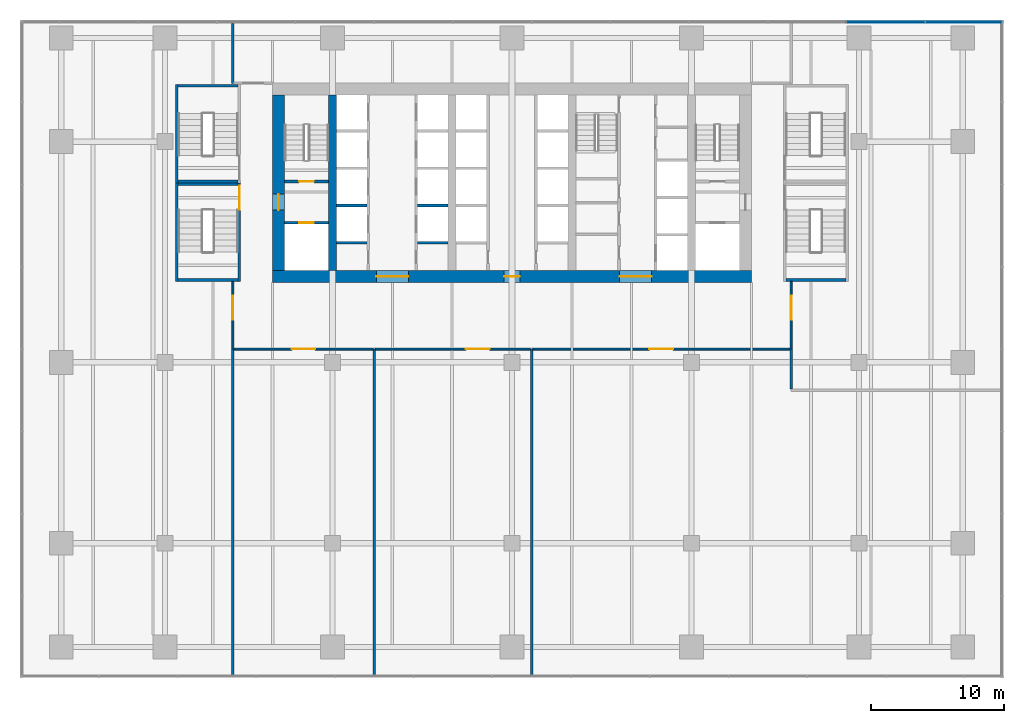
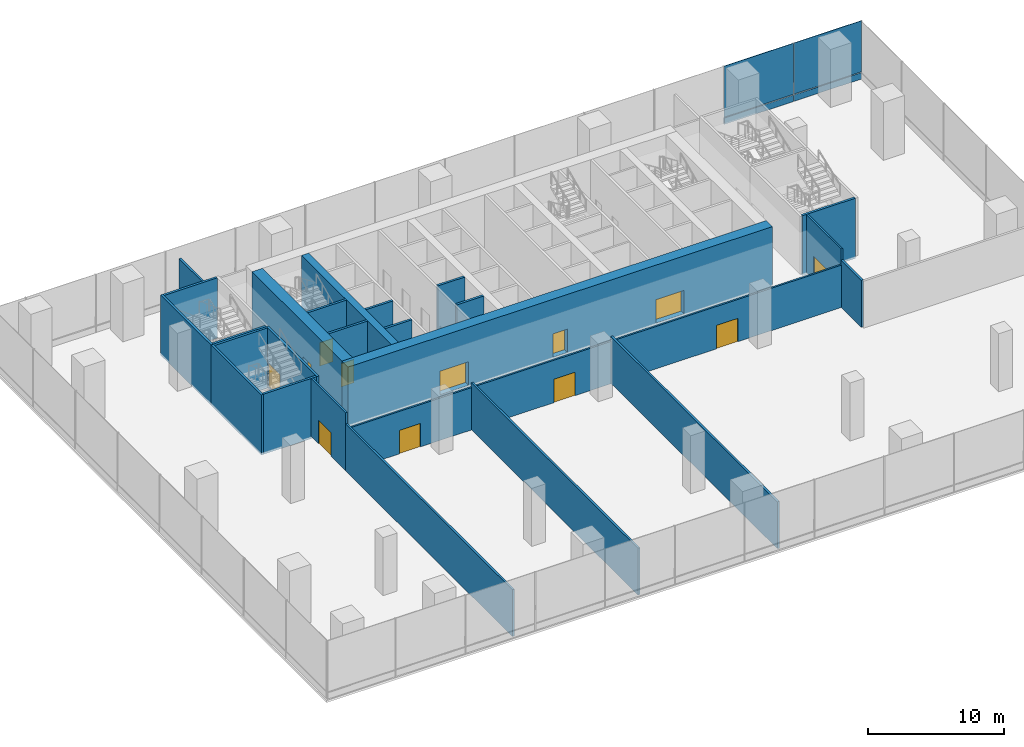
# One storey, part 19 of 26: 27 walls, 12 doors, 4 plates, 12 openings, 1 element without a shape of its own.
"""IFC4 building model written with IfcOpenShell, lengths in metres."""

from ifc_helpers import new_model, si_unit, direction, frame, frame_2d, origin, origin_2d, place, context, subcontext, project, spatial, rectangle, extrude, material, layer, layer_set, type_object, element, fill, aggregate, save


model = new_model("IFC4")

# Units and contexts
model_context = context("Model", 3, precision=1e-05, world=origin(), true_north=direction((0.0, 1.0)))
body_context = subcontext(model_context, "Body", "Model", "MODEL_VIEW")
ifc_project = project(units=[si_unit("LENGTHUNIT", "METRE"), si_unit("AREAUNIT", "SQUARE_METRE"), si_unit("VOLUMEUNIT", "CUBIC_METRE"), si_unit("PLANEANGLEUNIT", "RADIAN"), si_unit("MASSUNIT", "GRAM", prefix="KILO")], contexts=[model_context])

# Site, building, storey
site_placement = place(None, origin())
site = spatial("IfcSite", under=ifc_project, at=site_placement, CompositionType="ELEMENT")
building_placement = place(site_placement, origin())
building = spatial("IfcBuilding", under=site, at=building_placement, Name="Rattan Terrace Tower", CompositionType="ELEMENT")
storey_placement = place(building_placement, frame((0.0, 0.0, 7.199951171875)))
storey = spatial("IfcBuildingStorey", under=building, at=storey_placement, Name="L01", CompositionType="ELEMENT", Elevation=7.199951171875)

# Curtain wall, plates
ifc_material_1 = material(Name="Aluminium and glass", Category="aluminium")
ifc_layer_1 = layer(ifc_material_1, 0.1201171875)
ifc_layer_set_1 = layer_set([ifc_layer_1], Name="Station Storefront Curtain Wall")
curtain_wall_type = type_object("IfcCurtainWallType", Name="Station Storefront Curtain Wall", PredefinedType="NOTDEFINED", material=ifc_layer_set_1)
curtain_wall_placement = place(storey_placement, origin())
curtain_wall = element("IfcCurtainWall", 1, at=curtain_wall_placement, inside=storey, type_object=curtain_wall_type, Name="Storefront curtain wall L01-2", PredefinedType="NOTDEFINED")
ifc_material_2 = material(Name="Granite bulkhead panel", Category="masonry")
ifc_layer_2 = layer(ifc_material_2, 0.110107421875)
ifc_layer_set_2 = layer_set([ifc_layer_2], Name="Storefront CW Stone Bulkhead Panel")
plate_type_1 = type_object("IfcPlateType", Name="Storefront CW Stone Bulkhead Panel", PredefinedType="CURTAIN_PANEL", material=ifc_layer_set_2)
plate_1_placement = place(storey_placement, frame((33.972412109375, 12.080078125, 0.0), z_axis=(0.0, 0.0, 1.0), x_axis=(-1.0, 0.0, 0.0)))
plate_1 = element("IfcPlate", 2, at=plate_1_placement, type_object=plate_type_1, Name="Panel cwl-L01-002.1.1", PredefinedType="CURTAIN_PANEL", context=body_context, shape_type="SweptSolid", body=[
    extrude(rectangle(XDim=5.735107421875, YDim=0.110107421875, at=origin_2d()), origin(), (0.0, 0.0, 1.0), 0.574951171875),
])
plate_2_placement = place(storey_placement, frame((28.1201171875, 12.080078125, 0.0), z_axis=(0.0, 0.0, 1.0), x_axis=(-1.0, 0.0, 0.0)))
plate_2 = element("IfcPlate", 3, at=plate_2_placement, type_object=plate_type_1, Name="Panel cwl-L01-002.2.1", PredefinedType="CURTAIN_PANEL", context=body_context, shape_type="SweptSolid", body=[
    extrude(rectangle(XDim=5.8701171875, YDim=0.110107421875, at=origin_2d()), origin(), (0.0, 0.0, 1.0), 0.574951171875),
])
ifc_material_3 = material(Name="Clear toughened glass", Category="glass")
ifc_layer_3 = layer(ifc_material_3, 0.0439453125)
ifc_layer_set_3 = layer_set([ifc_layer_3], Name="Storefront CW Vision Panel")
plate_type_2 = type_object("IfcPlateType", Name="Storefront CW Vision Panel", PredefinedType="CURTAIN_PANEL", material=ifc_layer_set_3)
plate_3_placement = place(storey_placement, frame((33.972412109375, 12.080078125, 0.625), z_axis=(0.0, 0.0, 1.0), x_axis=(-1.0, 0.0, 0.0)))
plate_3 = element("IfcPlate", 4, at=plate_3_placement, type_object=plate_type_2, Name="Panel cwl-L01-002.1.2", PredefinedType="CURTAIN_PANEL", context=body_context, shape_type="SweptSolid", body=[
    extrude(rectangle(XDim=5.735107421875, YDim=0.0439453125, at=origin_2d()), origin(), (0.0, 0.0, 1.0), 4.574951171875),
])
plate_4_placement = place(storey_placement, frame((28.1201171875, 12.080078125, 0.625), z_axis=(0.0, 0.0, 1.0), x_axis=(-1.0, 0.0, 0.0)))
plate_4 = element("IfcPlate", 5, at=plate_4_placement, type_object=plate_type_2, Name="Panel cwl-L01-002.2.2", PredefinedType="CURTAIN_PANEL", context=body_context, shape_type="SweptSolid", body=[
    extrude(rectangle(XDim=5.8701171875, YDim=0.0439453125, at=origin_2d()), origin(), (0.0, 0.0, 1.0), 4.574951171875),
])
aggregate(curtain_wall, [plate_1, plate_3, plate_2, plate_4])

# Wall, opening, door
ifc_material_4 = material(Name="Gypsum board partition")
ifc_layer_4 = layer(ifc_material_4, 0.199951171875)
ifc_layer_set_4 = layer_set([ifc_layer_4], Name="Core partition 200")
wall_type_1 = type_object("IfcWallType", Name="Core partition 200", PredefinedType="PARTITIONING", material=ifc_layer_set_4)
wall_1_placement = place(storey_placement, frame((-17.10009765625, -3.0, 0.0), z_axis=(0.0, 0.0, 1.0), x_axis=(1.0, 0.0, 0.0)))
wall_1 = element("IfcWall", 6, at=wall_1_placement, inside=storey, type_object=wall_type_1, Name="Fire-fighting lobby wall", PredefinedType="PARTITIONING", context=body_context, shape_type="SweptSolid", body=[
    extrude(rectangle(XDim=3.300048828125, YDim=0.199951171875, at=frame_2d((1.64990234375, 0.0))), origin(), (0.0, 0.0, 1.0), 5.199951171875),
])
opening_1_placement = place(wall_1_placement, frame((1.10009765625, 0.0, 0.0)))
opening_1 = element("IfcOpeningElement", 7, at=opening_1_placement, cuts=wall_1, Name="Opening L01-LD-FF1", PredefinedType="OPENING", context=body_context, shape_type="SweptSolid", body=[
    extrude(rectangle(XDim=1.10009765625, YDim=2.10009765625, at=frame_2d((0.550048828125, 1.050048828125))), frame((0.0, 0.110595703125, 0.0), z_axis=(0.0, -1.0, 0.0), x_axis=(1.0, 0.0, 0.0)), (0.0, 0.0, 1.0), 0.220947265625),
])
ifc_material_5 = material(Name="Brushed stainless landing door panel")
door_type_1 = type_object("IfcDoorType", Name="Core lift landing door 1100", OperationType="DOUBLE_DOOR_SLIDING", PredefinedType="DOOR", material=ifc_material_5)
door_1_placement = place(opening_1_placement, origin())
door_1 = element("IfcDoor", 8, at=door_1_placement, inside=storey, type_object=door_type_1, Name="Door L01-LD-FF1", OperationType="DOUBLE_DOOR_SLIDING", OverallHeight=2.10009765625, OverallWidth=1.10009765625, PredefinedType="DOOR", context=body_context, shape_type="SweptSolid", body=[
    extrude(rectangle(XDim=1.10009765625, YDim=2.10009765625, at=frame_2d((0.550048828125, 1.050048828125))), frame((0.0, 0.02490234375, 0.0), z_axis=(0.0, -1.0, 0.0), x_axis=(1.0, 0.0, 0.0)), (0.0, 0.0, 1.0), 0.050048828125),
])
fill(opening_1, door_1)

wall_2_placement = place(storey_placement, frame((-17.10009765625, 0.10009765625, 0.0), z_axis=(0.0, 0.0, 1.0), x_axis=(1.0, 0.0, 0.0)))
wall_2 = element("IfcWall", 9, at=wall_2_placement, inside=storey, type_object=wall_type_1, Name="Stair enclosure wall", PredefinedType="PARTITIONING", context=body_context, shape_type="SweptSolid", body=[
    extrude(rectangle(XDim=3.300048828125, YDim=0.199951171875, at=frame_2d((1.64990234375, 0.0))), origin(), (0.0, 0.0, 1.0), 5.199951171875),
])
opening_2_placement = place(wall_2_placement, frame((1.10009765625, 0.0, 0.0)))
opening_2 = element("IfcOpeningElement", 10, at=opening_2_placement, cuts=wall_2, Name="Opening L01-D002", PredefinedType="OPENING", context=body_context, shape_type="SweptSolid", body=[
    extrude(rectangle(XDim=1.10009765625, YDim=2.10009765625, at=frame_2d((0.550048828125, 1.050048828125))), frame((0.0, 0.110595703125, 0.0), z_axis=(0.0, -1.0, 0.0), x_axis=(1.0, 0.0, 0.0)), (0.0, 0.0, 1.0), 0.220947265625),
])
ifc_material_6 = material(Name="Hollow-metal fire door leaf")
door_type_2 = type_object("IfcDoorType", Name="Core stair door 1100", OperationType="NOTDEFINED", PredefinedType="DOOR", material=ifc_material_6)
door_2_placement = place(opening_2_placement, origin())
door_2 = element("IfcDoor", 11, at=door_2_placement, inside=storey, type_object=door_type_2, Name="Door L01-D002", OperationType="SINGLE_SWING_LEFT", OverallHeight=2.10009765625, OverallWidth=1.10009765625, PredefinedType="DOOR", context=body_context, shape_type="SweptSolid", body=[
    extrude(rectangle(XDim=1.10009765625, YDim=2.10009765625, at=frame_2d((0.550048828125, 1.050048828125))), frame((0.0, 0.02490234375, 0.0), z_axis=(0.0, -1.0, 0.0), x_axis=(1.0, 0.0, 0.0)), (0.0, 0.0, 1.0), 0.050048828125),
])
fill(opening_2, door_2)

# Wall, openings, doors
ifc_material_7 = material(Name="Concrete C70/85", Category="concrete")
ifc_layer_5 = layer(ifc_material_7, 0.89990234375)
ifc_layer_set_5 = layer_set([ifc_layer_5], Name="Core ring wall 900 C70/85")
wall_type_2 = type_object("IfcWallType", Name="Core ring wall 900 C70/85", PredefinedType="SHEAR", material=ifc_layer_set_5)
wall_3_placement = place(storey_placement, frame((-18.0, -7.050048828125, -0.199951171875), z_axis=(0.0, 0.0, 1.0), x_axis=(1.0, 0.0, 0.0)))
wall_3 = element("IfcWall", 12, at=wall_3_placement, inside=storey, type_object=wall_type_2, Name="Rear core wall south", PredefinedType="SHEAR", context=body_context, shape_type="SweptSolid", body=[
    extrude(rectangle(XDim=36.0, YDim=0.89990234375, at=frame_2d((18.0, 0.0))), origin(), (0.0, 0.0, 1.0), 5.39990234375),
])
opening_3_placement = place(wall_3_placement, frame((7.800048828125, 0.0, 0.199951171875)))
opening_3 = element("IfcOpeningElement", 13, at=opening_3_placement, cuts=wall_3, Name="Opening L01-D007", PredefinedType="OPENING", context=body_context, shape_type="SweptSolid", body=[
    extrude(rectangle(XDim=2.39990234375, YDim=2.10009765625, at=frame_2d((1.199951171875, 1.050048828125))), frame((0.0, 0.46044921875, 0.0), z_axis=(0.0, -1.0, 0.0), x_axis=(1.0, 0.0, 0.0)), (0.0, 0.0, 1.0), 0.9208984375),
])
opening_4_placement = place(wall_3_placement, frame((17.39990234375, 0.0, 0.199951171875)))
opening_4 = element("IfcOpeningElement", 14, at=opening_4_placement, cuts=wall_3, Name="Opening L01-D010", PredefinedType="OPENING", context=body_context, shape_type="SweptSolid", body=[
    extrude(rectangle(XDim=1.199951171875, YDim=2.10009765625, at=frame_2d((0.60009765625, 1.050048828125))), frame((0.0, 0.46044921875, 0.0), z_axis=(0.0, -1.0, 0.0), x_axis=(1.0, 0.0, 0.0)), (0.0, 0.0, 1.0), 0.9208984375),
])
opening_5_placement = place(wall_3_placement, frame((26.10009765625, 0.0, 0.199951171875)))
opening_5 = element("IfcOpeningElement", 15, at=opening_5_placement, cuts=wall_3, Name="Opening L01-D015", PredefinedType="OPENING", context=body_context, shape_type="SweptSolid", body=[
    extrude(rectangle(XDim=2.39990234375, YDim=2.10009765625, at=frame_2d((1.199951171875, 1.050048828125))), frame((0.0, 0.46044921875, 0.0), z_axis=(0.0, -1.0, 0.0), x_axis=(1.0, 0.0, 0.0)), (0.0, 0.0, 1.0), 0.9208984375),
])
ifc_material_8 = material(Name="Hollow-metal fire door leaf")
door_type_3 = type_object("IfcDoorType", Name="Core lift lobby door 2400", OperationType="NOTDEFINED", PredefinedType="DOOR", material=ifc_material_8)
door_3_placement = place(opening_3_placement, origin())
door_3 = element("IfcDoor", 16, at=door_3_placement, inside=storey, type_object=door_type_3, Name="Door L01-D007", OperationType="DOUBLE_DOOR_DOUBLE_SWING", OverallHeight=2.10009765625, OverallWidth=2.39990234375, PredefinedType="DOOR", context=body_context, shape_type="SweptSolid", body=[
    extrude(rectangle(XDim=2.39990234375, YDim=2.10009765625, at=frame_2d((1.199951171875, 1.050048828125))), frame((0.0, 0.02490234375, 0.0), z_axis=(0.0, -1.0, 0.0), x_axis=(1.0, 0.0, 0.0)), (0.0, 0.0, 1.0), 0.050048828125),
])
fill(opening_3, door_3)
door_4_placement = place(opening_5_placement, origin())
door_4 = element("IfcDoor", 17, at=door_4_placement, inside=storey, type_object=door_type_3, Name="Door L01-D015", OperationType="DOUBLE_DOOR_DOUBLE_SWING", OverallHeight=2.10009765625, OverallWidth=2.39990234375, PredefinedType="DOOR", context=body_context, shape_type="SweptSolid", body=[
    extrude(rectangle(XDim=2.39990234375, YDim=2.10009765625, at=frame_2d((1.199951171875, 1.050048828125))), frame((0.0, 0.02490234375, 0.0), z_axis=(0.0, -1.0, 0.0), x_axis=(1.0, 0.0, 0.0)), (0.0, 0.0, 1.0), 0.050048828125),
])
fill(opening_5, door_4)
ifc_material_9 = material(Name="Hollow-metal fire door leaf")
door_type_4 = type_object("IfcDoorType", Name="Core riser door 1200", OperationType="NOTDEFINED", PredefinedType="DOOR", material=ifc_material_9)
door_5_placement = place(opening_4_placement, origin())
door_5 = element("IfcDoor", 18, at=door_5_placement, inside=storey, type_object=door_type_4, Name="Door L01-D010", OperationType="SINGLE_SWING_RIGHT", OverallHeight=2.10009765625, OverallWidth=1.199951171875, PredefinedType="DOOR", context=body_context, shape_type="SweptSolid", body=[
    extrude(rectangle(XDim=1.199951171875, YDim=2.10009765625, at=frame_2d((0.60009765625, 1.050048828125))), frame((0.0, 0.02490234375, 0.0), z_axis=(0.0, -1.0, 0.0), x_axis=(1.0, 0.0, 0.0)), (0.0, 0.0, 1.0), 0.050048828125),
])
fill(opening_4, door_5)

# Wall, opening, door
wall_4_placement = place(storey_placement, frame((-17.550048828125, -6.60009765625, -0.199951171875), z_axis=(0.0, 0.0, 1.0), x_axis=(0.0, 1.0, 0.0)))
wall_4 = element("IfcWall", 19, at=wall_4_placement, inside=storey, type_object=wall_type_2, Name="Rear core wall west", PredefinedType="SHEAR", context=body_context, shape_type="SweptSolid", body=[
    extrude(rectangle(XDim=13.2001953125, YDim=0.89990234375, at=frame_2d((6.60009765625, 0.0))), origin(), (0.0, 0.0, 1.0), 5.39990234375),
])
opening_6_placement = place(wall_4_placement, frame((4.550048828125, 0.0, 0.199951171875)))
opening_6 = element("IfcOpeningElement", 20, at=opening_6_placement, cuts=wall_4, Name="Opening L01-D001", PredefinedType="OPENING", context=body_context, shape_type="SweptSolid", body=[
    extrude(rectangle(XDim=1.199951171875, YDim=2.10009765625, at=frame_2d((0.60009765625, 1.050048828125))), frame((0.0, 0.46044921875, 0.0), z_axis=(0.0, -1.0, 0.0), x_axis=(1.0, 0.0, 0.0)), (0.0, 0.0, 1.0), 0.9208984375),
])
ifc_material_10 = material(Name="Hollow-metal fire door leaf")
door_type_5 = type_object("IfcDoorType", Name="Core fire-fighting lobby door 1200", OperationType="NOTDEFINED", PredefinedType="DOOR", material=ifc_material_10)
door_6_placement = place(opening_6_placement, origin())
door_6 = element("IfcDoor", 21, at=door_6_placement, inside=storey, type_object=door_type_5, Name="Door L01-D001", OperationType="SINGLE_SWING_RIGHT", OverallHeight=2.10009765625, OverallWidth=1.199951171875, PredefinedType="DOOR", context=body_context, shape_type="SweptSolid", body=[
    extrude(rectangle(XDim=1.199951171875, YDim=2.10009765625, at=frame_2d((0.60009765625, 1.050048828125))), frame((0.0, 0.02490234375, 0.0), z_axis=(0.0, -1.0, 0.0), x_axis=(1.0, 0.0, 0.0)), (0.0, 0.0, 1.0), 0.050048828125),
])
fill(opening_6, door_6)

# Walls
ifc_material_11 = material(Name="Concrete C70/85", Category="concrete")
ifc_layer_6 = layer(ifc_material_11, 0.60009765625)
ifc_layer_set_6 = layer_set([ifc_layer_6], Name="Core spine wall 600 C70/85")
wall_type_3 = type_object("IfcWallType", Name="Core spine wall 600 C70/85", PredefinedType="SHEAR", material=ifc_layer_set_6)
wall_5_placement = place(storey_placement, frame((-13.5, -6.60009765625, -0.199951171875), z_axis=(0.0, 0.0, 1.0), x_axis=(0.0, 1.0, 0.0)))
element("IfcWall", 22, at=wall_5_placement, inside=storey, type_object=wall_type_3, Name="Core spine wall 1", PredefinedType="SHEAR", context=body_context, shape_type="SweptSolid", body=[
    extrude(rectangle(XDim=13.2001953125, YDim=0.60009765625, at=frame_2d((6.60009765625, 0.0))), origin(), (0.0, 0.0, 1.0), 5.39990234375),
])
ifc_material_12 = material(Name="Double steel stud acoustic partition, gypsum board, mineral wool, fire rated", Category="steel")
ifc_layer_7 = layer(ifc_material_12, 0.179931640625)
ifc_layer_set_7 = layer_set([ifc_layer_7], Name="Floors Acoustic Party Wall 180")
wall_type_4 = type_object("IfcWallType", Name="Floors Acoustic Party Wall 180", PredefinedType="PARTITIONING", material=ifc_layer_set_7)
wall_6_placement = place(storey_placement, frame((-21.0, -12.47998046875, 0.0), z_axis=(0.0, 0.0, 1.0), x_axis=(0.0, -1.0, 0.0)))
element("IfcWall", 23, at=wall_6_placement, inside=storey, type_object=wall_type_4, Name="pt-L01-008", PredefinedType="PARTITIONING", context=body_context, shape_type="SweptSolid", body=[
    extrude(rectangle(XDim=24.510009765625, YDim=0.179931640625, at=frame_2d((12.2548828125, 0.0))), origin(), (0.0, 0.0, 1.0), 4.199951171875),
])
wall_7_placement = place(storey_placement, frame((-21.0, 11.989990234375, 0.0), z_axis=(0.0, 0.0, 1.0), x_axis=(0.0, -1.0, 0.0)))
element("IfcWall", 24, at=wall_7_placement, inside=storey, type_object=wall_type_4, Name="pt-L01-009", PredefinedType="PARTITIONING", context=body_context, shape_type="SweptSolid", body=[
    extrude(rectangle(XDim=4.510009765625, YDim=0.179931640625, at=frame_2d((2.2548828125, 0.0))), origin(), (0.0, 0.0, 1.0), 4.199951171875),
])
for number, where, z_axis, x_axis, name in (
    (25, (-10.360107421875, -12.5, 0.0), (0.0, 0.0, 1.0), (0.0, -1.0, 0.0), "pt-L01-010"),
    (26, (1.47998046875, -12.5, 0.0), (0.0, 0.0, 1.0), (0.0, -1.0, 0.0), "pt-L01-011"),
):
    element("IfcWall", number, at=place(storey_placement, frame(where, z_axis=z_axis, x_axis=x_axis)), inside=storey, type_object=wall_type_4, Name=name, PredefinedType="PARTITIONING", context=body_context, shape_type="SweptSolid", body=[
        extrude(rectangle(XDim=24.489990234375, YDim=0.179931640625, at=frame_2d((12.2451171875, 0.0))), origin(), (0.0, 0.0, 1.0), 4.199951171875),
    ])
wall_8_placement = place(storey_placement, frame((20.9990234375, -12.5, 0.0), z_axis=(0.0, 0.0, 1.0), x_axis=(0.0, -1.0, 0.0)))
element("IfcWall", 27, at=wall_8_placement, inside=storey, type_object=wall_type_4, Name="pt-L01-012", PredefinedType="PARTITIONING", context=body_context, shape_type="SweptSolid", body=[
    extrude(rectangle(XDim=3.00390625, YDim=0.179931640625, at=frame_2d((1.501953125, 0.0))), origin(), (0.0, 0.0, 1.0), 4.199951171875),
])

# Wall, opening, door
ifc_material_13 = material(Name="Gypsum board partition on steel studs, fire rated", Category="steel")
ifc_layer_8 = layer(ifc_material_13, 0.14990234375)
ifc_layer_set_8 = layer_set([ifc_layer_8], Name="Floors Tenancy Wall 150")
wall_type_5 = type_object("IfcWallType", Name="Floors Tenancy Wall 150", PredefinedType="PARTITIONING", material=ifc_layer_set_8)
wall_9_placement = place(storey_placement, frame((-21.0, -12.47998046875, 0.0), z_axis=(0.0, 0.0, 1.0), x_axis=(0.0, 1.0, 0.0)))
wall_9 = element("IfcWall", 28, at=wall_9_placement, inside=storey, type_object=wall_type_5, Name="pt-L01-001", PredefinedType="PARTITIONING", context=body_context, shape_type="SweptSolid", body=[
    extrude(rectangle(XDim=5.080078125, YDim=0.14990234375, at=frame_2d((2.5400390625, 0.0))), origin(), (0.0, 0.0, 1.0), 5.199951171875),
])
opening_7_placement = place(wall_9_placement, frame((2.196044921875, 0.0, 0.0)))
opening_7 = element("IfcOpeningElement", 29, at=opening_7_placement, cuts=wall_9, Name="Opening L01-D100", PredefinedType="OPENING", context=body_context, shape_type="SweptSolid", body=[
    extrude(rectangle(XDim=1.800048828125, YDim=2.10009765625, at=frame_2d((0.89990234375, 1.050048828125))), frame((0.0, 0.08544921875, 0.0), z_axis=(0.0, -1.0, 0.0), x_axis=(1.0, 0.0, 0.0)), (0.0, 0.0, 1.0), 0.1708984375),
])
ifc_material_14 = material(Name="Steel fire door set", Category="steel")
door_type_6 = type_object("IfcDoorType", Name="Floors Fire Door Pair FD30S 1800x2100", OperationType="NOTDEFINED", PredefinedType="DOOR", material=ifc_material_14)
door_7_placement = place(opening_7_placement, origin())
door_7 = element("IfcDoor", 30, at=door_7_placement, inside=storey, type_object=door_type_6, Name="d-L01-100", OperationType="DOUBLE_DOOR_SINGLE_SWING", OverallHeight=2.10009765625, OverallWidth=1.800048828125, PredefinedType="DOOR", context=body_context, shape_type="SweptSolid", body=[
    extrude(rectangle(XDim=1.800048828125, YDim=2.10009765625, at=frame_2d((0.89990234375, 1.050048828125))), frame((0.0, 0.02490234375, 0.0), z_axis=(0.0, -1.0, 0.0), x_axis=(1.0, 0.0, 0.0)), (0.0, 0.0, 1.0), 0.050048828125),
])
fill(opening_7, door_7)

wall_10_placement = place(storey_placement, frame((-10.449951171875, -12.5, 0.0), z_axis=(0.0, 0.0, 1.0), x_axis=(-1.0, 0.0, 0.0)))
wall_10 = element("IfcWall", 31, at=wall_10_placement, inside=storey, type_object=wall_type_5, Name="pt-L01-002", PredefinedType="PARTITIONING", context=body_context, shape_type="SweptSolid", body=[
    extrude(rectangle(XDim=10.4599609375, YDim=0.14990234375, at=frame_2d((5.22998046875, 0.0))), origin(), (0.0, 0.0, 1.0), 3.800048828125),
])
opening_8_placement = place(wall_10_placement, frame((4.330078125, 0.0, 0.0)))
opening_8 = element("IfcOpeningElement", 32, at=opening_8_placement, cuts=wall_10, Name="Opening L01-D101", PredefinedType="OPENING", context=body_context, shape_type="SweptSolid", body=[
    extrude(rectangle(XDim=1.800048828125, YDim=2.10009765625, at=frame_2d((0.89990234375, 1.050048828125))), frame((0.0, 0.08544921875, 0.0), z_axis=(0.0, -1.0, 0.0), x_axis=(1.0, 0.0, 0.0)), (0.0, 0.0, 1.0), 0.1708984375),
])
door_8_placement = place(opening_8_placement, origin())
door_8 = element("IfcDoor", 33, at=door_8_placement, inside=storey, type_object=door_type_6, Name="d-L01-101", OperationType="DOUBLE_DOOR_SINGLE_SWING", OverallHeight=2.10009765625, OverallWidth=1.800048828125, PredefinedType="DOOR", context=body_context, shape_type="SweptSolid", body=[
    extrude(rectangle(XDim=1.800048828125, YDim=2.10009765625, at=frame_2d((0.89990234375, 1.050048828125))), frame((0.0, 0.02490234375, 0.0), z_axis=(0.0, -1.0, 0.0), x_axis=(1.0, 0.0, 0.0)), (0.0, 0.0, 1.0), 0.050048828125),
])
fill(opening_8, door_8)

wall_11_placement = place(storey_placement, frame((1.389892578125, -12.5, 0.0), z_axis=(0.0, 0.0, 1.0), x_axis=(-1.0, 0.0, 0.0)))
wall_11 = element("IfcWall", 34, at=wall_11_placement, inside=storey, type_object=wall_type_5, Name="pt-L01-003", PredefinedType="PARTITIONING", context=body_context, shape_type="SweptSolid", body=[
    extrude(rectangle(XDim=11.659912109375, YDim=0.14990234375, at=frame_2d((5.830078125, 0.0))), origin(), (0.0, 0.0, 1.0), 3.800048828125),
])
opening_9_placement = place(wall_11_placement, frame((3.05810546875, 0.0, 0.0)))
opening_9 = element("IfcOpeningElement", 35, at=opening_9_placement, cuts=wall_11, Name="Opening L01-D102", PredefinedType="OPENING", context=body_context, shape_type="SweptSolid", body=[
    extrude(rectangle(XDim=1.800048828125, YDim=2.10009765625, at=frame_2d((0.89990234375, 1.050048828125))), frame((0.0, 0.08544921875, 0.0), z_axis=(0.0, -1.0, 0.0), x_axis=(1.0, 0.0, 0.0)), (0.0, 0.0, 1.0), 0.1708984375),
])
door_9_placement = place(opening_9_placement, origin())
door_9 = element("IfcDoor", 36, at=door_9_placement, inside=storey, type_object=door_type_6, Name="d-L01-102", OperationType="DOUBLE_DOOR_SINGLE_SWING", OverallHeight=2.10009765625, OverallWidth=1.800048828125, PredefinedType="DOOR", context=body_context, shape_type="SweptSolid", body=[
    extrude(rectangle(XDim=1.800048828125, YDim=2.10009765625, at=frame_2d((0.89990234375, 1.050048828125))), frame((0.0, 0.02490234375, 0.0), z_axis=(0.0, -1.0, 0.0), x_axis=(1.0, 0.0, 0.0)), (0.0, 0.0, 1.0), 0.050048828125),
])
fill(opening_9, door_9)

wall_12_placement = place(storey_placement, frame((20.908935546875, -12.5, 0.0), z_axis=(0.0, 0.0, 1.0), x_axis=(-1.0, 0.0, 0.0)))
wall_12 = element("IfcWall", 37, at=wall_12_placement, inside=storey, type_object=wall_type_5, Name="pt-L01-004", PredefinedType="PARTITIONING", context=body_context, shape_type="SweptSolid", body=[
    extrude(rectangle(XDim=19.3388671875, YDim=0.14990234375, at=frame_2d((9.66943359375, 0.0))), origin(), (0.0, 0.0, 1.0), 3.800048828125),
])
opening_10_placement = place(wall_12_placement, frame((8.77001953125, 0.0, 0.0)))
opening_10 = element("IfcOpeningElement", 38, at=opening_10_placement, cuts=wall_12, Name="Opening L01-D103", PredefinedType="OPENING", context=body_context, shape_type="SweptSolid", body=[
    extrude(rectangle(XDim=1.800048828125, YDim=2.10009765625, at=frame_2d((0.89990234375, 1.050048828125))), frame((0.0, 0.08544921875, 0.0), z_axis=(0.0, -1.0, 0.0), x_axis=(1.0, 0.0, 0.0)), (0.0, 0.0, 1.0), 0.1708984375),
])
door_10_placement = place(opening_10_placement, origin())
door_10 = element("IfcDoor", 39, at=door_10_placement, inside=storey, type_object=door_type_6, Name="d-L01-103", OperationType="DOUBLE_DOOR_SINGLE_SWING", OverallHeight=2.10009765625, OverallWidth=1.800048828125, PredefinedType="DOOR", context=body_context, shape_type="SweptSolid", body=[
    extrude(rectangle(XDim=1.800048828125, YDim=2.10009765625, at=frame_2d((0.89990234375, 1.050048828125))), frame((0.0, 0.02490234375, 0.0), z_axis=(0.0, -1.0, 0.0), x_axis=(1.0, 0.0, 0.0)), (0.0, 0.0, 1.0), 0.050048828125),
])
fill(opening_10, door_10)

wall_13_placement = place(storey_placement, frame((21.0, -7.39990234375, 0.0), z_axis=(0.0, 0.0, 1.0), x_axis=(0.0, -1.0, 0.0)))
wall_13 = element("IfcWall", 40, at=wall_13_placement, inside=storey, type_object=wall_type_5, Name="pt-L01-005", PredefinedType="PARTITIONING", context=body_context, shape_type="SweptSolid", body=[
    extrude(rectangle(XDim=5.10009765625, YDim=0.14990234375, at=frame_2d((2.550048828125, 0.0))), origin(), (0.0, 0.0, 1.0), 5.199951171875),
])
opening_11_placement = place(wall_13_placement, frame((1.090087890625, 0.0, 0.0)))
opening_11 = element("IfcOpeningElement", 41, at=opening_11_placement, cuts=wall_13, Name="Opening L01-D104", PredefinedType="OPENING", context=body_context, shape_type="SweptSolid", body=[
    extrude(rectangle(XDim=1.800048828125, YDim=2.10009765625, at=frame_2d((0.89990234375, 1.050048828125))), frame((0.0, 0.08544921875, 0.0), z_axis=(0.0, -1.0, 0.0), x_axis=(1.0, 0.0, 0.0)), (0.0, 0.0, 1.0), 0.1708984375),
])
door_11_placement = place(opening_11_placement, origin())
door_11 = element("IfcDoor", 42, at=door_11_placement, inside=storey, type_object=door_type_6, Name="d-L01-104", OperationType="DOUBLE_DOOR_SINGLE_SWING", OverallHeight=2.10009765625, OverallWidth=1.800048828125, PredefinedType="DOOR", context=body_context, shape_type="SweptSolid", body=[
    extrude(rectangle(XDim=1.800048828125, YDim=2.10009765625, at=frame_2d((0.89990234375, 1.050048828125))), frame((0.0, 0.02490234375, 0.0), z_axis=(0.0, -1.0, 0.0), x_axis=(1.0, 0.0, 0.0)), (0.0, 0.0, 1.0), 0.050048828125),
])
fill(opening_11, door_11)

# Walls
ifc_material_15 = material(Name="Gypsum shaft wall system")
ifc_layer_9 = layer(ifc_material_15, 0.199951171875)
ifc_layer_set_9 = layer_set([ifc_layer_9], Name="Lift shaft wall 200")
wall_type_6 = type_object("IfcWallType", Name="Lift shaft wall 200", PredefinedType="PARTITIONING", material=ifc_layer_set_9)
for number, where, z_axis, x_axis, name in (
    (43, (-13.199951171875, -1.699951171875, 0.0), (0.0, 0.0, 1.0), (1.0, 0.0, 0.0), "Lift shaft wall"),
    (44, (-13.199951171875, -4.5, 0.0), (0.0, 0.0, 1.0), (1.0, 0.0, 0.0), "Lift shaft wall"),
    (45, (-7.10009765625, -1.699951171875, 0.0), (0.0, 0.0, 1.0), (1.0, 0.0, 0.0), "Lift shaft wall"),
    (46, (-7.10009765625, -4.5, 0.0), (0.0, 0.0, 1.0), (1.0, 0.0, 0.0), "Lift shaft wall"),
):
    element("IfcWall", number, at=place(storey_placement, frame(where, z_axis=z_axis, x_axis=x_axis)), inside=storey, type_object=wall_type_6, Name=name, PredefinedType="PARTITIONING", context=body_context, shape_type="SweptSolid", body=[
        extrude(rectangle(XDim=2.300048828125, YDim=0.199951171875, at=frame_2d((1.14990234375, 0.0))), origin(), (0.0, 0.0, 1.0), 5.199951171875),
    ])

# Wall, opening, door
ifc_material_16 = material(Name="Concrete C40/50", Category="concrete")
ifc_layer_10 = layer(ifc_material_16, 0.199951171875)
ifc_layer_set_10 = layer_set([ifc_layer_10], Name="Podium exit stair shaft wall 200")
wall_type_7 = type_object("IfcWallType", Name="Podium exit stair shaft wall 200", PredefinedType="SHEAR", material=ifc_layer_set_10)
wall_14_placement = place(storey_placement, frame((-20.5, 0.0, -0.199951171875), z_axis=(0.0, 0.0, 1.0), x_axis=(0.0, -1.0, 0.0)))
wall_14 = element("IfcWall", 47, at=wall_14_placement, inside=storey, type_object=wall_type_7, Name="L01 stair S4 shaft wall", PredefinedType="SHEAR", context=body_context, shape_type="SweptSolid", body=[
    extrude(rectangle(XDim=7.39990234375, YDim=0.199951171875, at=frame_2d((3.699951171875, 0.0))), origin(), (0.0, 0.0, 1.0), 5.39990234375),
])
opening_12_placement = place(wall_14_placement, frame((0.22509765625, 0.0, 0.199951171875)))
opening_12 = element("IfcOpeningElement", 48, at=opening_12_placement, cuts=wall_14, Name="Opening L01-D901", PredefinedType="OPENING", context=body_context, shape_type="SweptSolid", body=[
    extrude(rectangle(XDim=1.800048828125, YDim=2.10009765625, at=frame_2d((0.89990234375, 1.050048828125))), frame((0.0, 0.110595703125, 0.0), z_axis=(0.0, -1.0, 0.0), x_axis=(1.0, 0.0, 0.0)), (0.0, 0.0, 1.0), 0.220947265625),
])
ifc_material_17 = material(Name="Hollow-metal fire door leaf")
door_type_7 = type_object("IfcDoorType", Name="Podium exit stair door pair 1800", OperationType="DOUBLE_DOOR_SINGLE_SWING", PredefinedType="DOOR", material=ifc_material_17)
door_12_placement = place(opening_12_placement, origin())
door_12 = element("IfcDoor", 49, at=door_12_placement, inside=storey, type_object=door_type_7, Name="Door L01-D901", OperationType="DOUBLE_DOOR_SINGLE_SWING", OverallHeight=2.10009765625, OverallWidth=1.800048828125, PredefinedType="DOOR", context=body_context, shape_type="SweptSolid", body=[
    extrude(rectangle(XDim=1.800048828125, YDim=2.10009765625, at=frame_2d((0.89990234375, 1.050048828125))), frame((0.0, 0.02490234375, 0.0), z_axis=(0.0, -1.0, 0.0), x_axis=(1.0, 0.0, 0.0)), (0.0, 0.0, 1.0), 0.050048828125),
])
fill(opening_12, door_12)

# Walls
wall_15_placement = place(storey_placement, frame((-25.199951171875, -7.39990234375, -0.199951171875), z_axis=(0.0, 0.0, 1.0), x_axis=(0.0, 1.0, 0.0)))
element("IfcWall", 50, at=wall_15_placement, inside=storey, type_object=wall_type_7, Name="L01 stair S4 shaft wall", PredefinedType="SHEAR", context=body_context, shape_type="SweptSolid", body=[
    extrude(rectangle(XDim=7.39990234375, YDim=0.199951171875, at=frame_2d((3.699951171875, 0.0))), origin(), (0.0, 0.0, 1.0), 5.39990234375),
])
for number, where, z_axis, x_axis, name in (
    (51, (-25.10009765625, -0.10009765625, -0.199951171875), (0.0, 0.0, 1.0), (1.0, 0.0, 0.0), "L01 stair S4 shaft wall"),
    (52, (-25.10009765625, -7.300048828125, -0.199951171875), (0.0, 0.0, 1.0), (1.0, 0.0, 0.0), "L01 stair S4 shaft wall"),
):
    element("IfcWall", number, at=place(storey_placement, frame(where, z_axis=z_axis, x_axis=x_axis)), inside=storey, type_object=wall_type_7, Name=name, PredefinedType="SHEAR", context=body_context, shape_type="SweptSolid", body=[
        extrude(rectangle(XDim=4.5, YDim=0.199951171875, at=frame_2d((2.25, 0.0))), origin(), (0.0, 0.0, 1.0), 5.39990234375),
    ])
wall_16_placement = place(storey_placement, frame((-25.199951171875, 0.0, -0.199951171875), z_axis=(0.0, 0.0, 1.0), x_axis=(0.0, 1.0, 0.0)))
element("IfcWall", 53, at=wall_16_placement, inside=storey, type_object=wall_type_7, Name="L01 stair S5 shaft wall", PredefinedType="SHEAR", context=body_context, shape_type="SweptSolid", body=[
    extrude(rectangle(XDim=7.39990234375, YDim=0.199951171875, at=frame_2d((3.699951171875, 0.0))), origin(), (0.0, 0.0, 1.0), 5.39990234375),
])
for number, where, z_axis, x_axis, name in (
    (54, (-25.10009765625, 7.300048828125, -0.199951171875), (0.0, 0.0, 1.0), (1.0, 0.0, 0.0), "L01 stair S5 shaft wall"),
    (55, (-25.10009765625, 0.10009765625, -0.199951171875), (0.0, 0.0, 1.0), (1.0, 0.0, 0.0), "L01 stair S5 shaft wall"),
    (56, (20.60009765625, -7.300048828125, -0.199951171875), (0.0, 0.0, 1.0), (1.0, 0.0, 0.0), "L01 stair S6 shaft wall"),
):
    element("IfcWall", number, at=place(storey_placement, frame(where, z_axis=z_axis, x_axis=x_axis)), inside=storey, type_object=wall_type_7, Name=name, PredefinedType="SHEAR", context=body_context, shape_type="SweptSolid", body=[
        extrude(rectangle(XDim=4.5, YDim=0.199951171875, at=frame_2d((2.25, 0.0))), origin(), (0.0, 0.0, 1.0), 5.39990234375),
    ])

save(model, "model.ifc")
